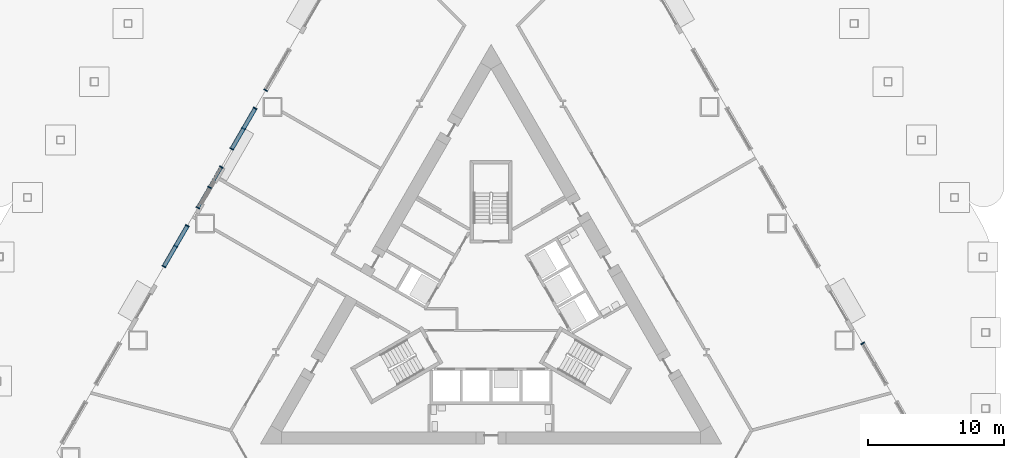
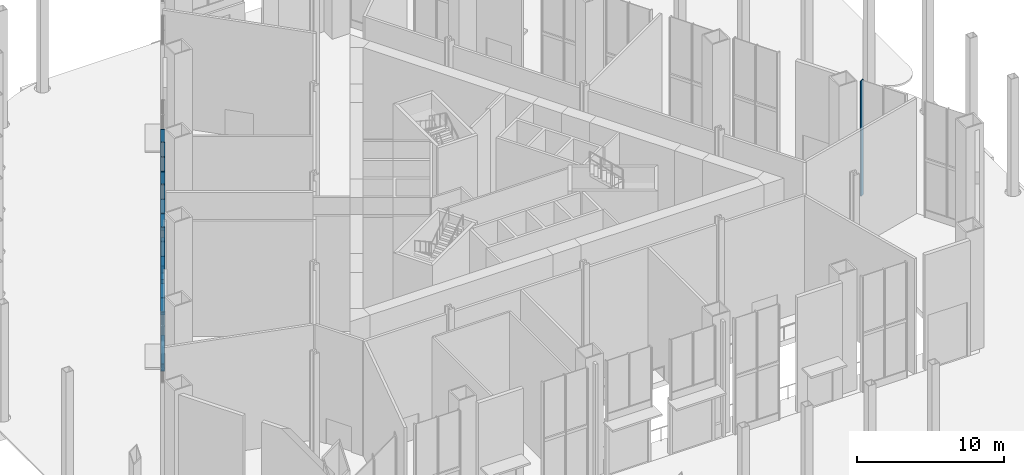
# One storey, part 3 of 18: 18 members, 5 elements without a shape of their own.
"""IFC4 building model written with IfcOpenShell, lengths in metres."""

import ifcopenshell
import ifcopenshell.guid

model = None  # the IFC model being written
_history = None  # IfcOwnerHistory: only IFC2X3 demands one
_inside = {}  # id of a spatial element -> (the spatial element, [elements in it])
_under = {}  # id of a project, library or spatial element -> (it, [spatial elements below it])
_declared = {}  # id of a project -> (the project, [libraries it declares])
_typed = {}  # id of a type object -> (the type object, [elements of that type])
_made_of = {}  # id of a material, layer set ... -> (it, [elements and type objects made of it])


def new_model(schema):
    """Start an empty IFC model of exactly this schema.

    Asked for "IFC4X3", IfcOpenShell would pick the latest addendum, in which some entities
    have other attributes; the version numbers below select the first issue.
    IFC2X3 requires an IfcOwnerHistory on every rooted entity: one is made here for all.
    """
    global model, _history
    if schema == "IFC4X3":
        model = ifcopenshell.file(schema_version=(4, 3, 0, 0))
    else:
        model = ifcopenshell.file(schema=schema)
    _inside.clear()
    _under.clear()
    _declared.clear()
    _typed.clear()
    _made_of.clear()
    _history = None
    if model.schema == "IFC2X3":
        org = make("IfcOrganization", Name="unknown")
        user = make(
            "IfcPersonAndOrganization",
            ThePerson=make("IfcPerson", FamilyName="unknown"),
            TheOrganization=org,
        )
        app = make(
            "IfcApplication",
            ApplicationDeveloper=org,
            Version="unknown",
            ApplicationFullName="unknown",
            ApplicationIdentifier="unknown",
        )
        _history = make(
            "IfcOwnerHistory",
            OwningUser=user,
            OwningApplication=app,
            ChangeAction="ADDED",
            CreationDate=0,
        )
    return model


def make(cls, **values):
    """One entity of the class cls with the attributes given. An attribute that is None is left unset."""
    return model.create_entity(
        cls, **{name: value for name, value in values.items() if value is not None}
    )


def rooted(cls, **values):
    """An entity with a GlobalId (a new one), such as an element, a storey or a relation."""
    return make(cls, GlobalId=ifcopenshell.guid.new(), OwnerHistory=_history, **values)


def si_unit(unit_type, name, prefix=None):
    """IfcSIUnit, for example si_unit("LENGTHUNIT", "METRE", prefix="MILLI")."""
    return make("IfcSIUnit", UnitType=unit_type, Prefix=prefix, Name=name)


def assignment(units):
    """IfcUnitAssignment: the units of a project."""
    return None if units is None else make("IfcUnitAssignment", Units=units)


def point(xyz):
    """IfcCartesianPoint."""
    return None if xyz is None else make("IfcCartesianPoint", Coordinates=xyz)


def direction(xyz):
    """IfcDirection."""
    return None if xyz is None else make("IfcDirection", DirectionRatios=xyz)


def frame(location, z_axis=None, x_axis=None):
    """IfcAxis2Placement3D, a coordinate frame: its origin and axes. An axis left out is left unset."""
    return make(
        "IfcAxis2Placement3D",
        Location=point(location),
        Axis=direction(z_axis),
        RefDirection=direction(x_axis),
    )


def frame_2d(location, x_axis=None):
    """IfcAxis2Placement2D, a coordinate frame in the plane: its origin and x axis."""
    return make(
        "IfcAxis2Placement2D", Location=point(location), RefDirection=direction(x_axis)
    )


def origin():
    """The frame at (0, 0, 0) with its axes left unset."""
    return frame((0.0, 0.0, 0.0))


def origin_2d():
    """The frame at (0, 0) in the plane with its x axis left unset."""
    return frame_2d((0.0, 0.0))


def place(relative_to, where):
    """IfcLocalPlacement: puts the frame where relative to a parent placement (None: the world)."""
    return make(
        "IfcLocalPlacement", PlacementRelTo=relative_to, RelativePlacement=where
    )


def context(
    kind, dimensions, precision=None, world=None, true_north=None, identifier=None
):
    """IfcGeometricRepresentationContext, for example the 3D "Model" context."""
    return make(
        "IfcGeometricRepresentationContext",
        ContextIdentifier=identifier,
        ContextType=kind,
        CoordinateSpaceDimension=dimensions,
        Precision=precision,
        WorldCoordinateSystem=world,
        TrueNorth=true_north,
    )


def subcontext(parent, identifier, kind, view, scale=None):
    """IfcGeometricRepresentationSubContext, for example "Body" below "Model"."""
    return make(
        "IfcGeometricRepresentationSubContext",
        ContextIdentifier=identifier,
        ContextType=kind,
        ParentContext=parent,
        TargetScale=scale,
        TargetView=view,
    )


def project(units=None, contexts=None):
    """IfcProject with its units and contexts."""
    return rooted(
        "IfcProject",
        Name="project",
        RepresentationContexts=contexts,
        UnitsInContext=assignment(units),
    )


def spatial(cls, under=None, at=None, **own):
    """A site, building, storey or space (cls), placed at a placement, below another one or the project."""
    s = rooted(cls, ObjectPlacement=at, **own)
    if under is not None:
        _under.setdefault(under.id(), (under, []))[1].append(s)
    return s


def profile(cls, at=None, kind="AREA", **sizes):
    """A parametric profile (cls). Its sizes go by their IFC names, for example OverallWidth=200.0."""
    return make(cls, ProfileType=kind, Position=at, **sizes)


def rectangle(**sizes):
    """IfcRectangleProfileDef."""
    return profile("IfcRectangleProfileDef", **sizes)


def extrude(swept, where, along, depth):
    """IfcExtrudedAreaSolid: the profile swept, set in the frame where, extruded along a direction by depth."""
    return make(
        "IfcExtrudedAreaSolid",
        SweptArea=swept,
        Position=where,
        ExtrudedDirection=direction(along),
        Depth=depth,
    )


def shape(context_of_items, identifier, shape_type, items):
    """IfcShapeRepresentation: the items that make up one representation, for example the "Body"."""
    return make(
        "IfcShapeRepresentation",
        ContextOfItems=context_of_items,
        RepresentationIdentifier=identifier,
        RepresentationType=shape_type,
        Items=items,
    )


def material(Name=None, Category=None):
    """IfcMaterial."""
    return make("IfcMaterial", Name=Name, Category=Category)


def layer(
    of_material, thickness, ventilated=None, Name=None, Category=None, Priority=None
):
    """IfcMaterialLayer: one layer of a wall or slab, of a material (None: an air gap)."""
    return make(
        "IfcMaterialLayer",
        Material=of_material,
        LayerThickness=thickness,
        IsVentilated=ventilated,
        Name=Name,
        Category=Category,
        Priority=Priority,
    )


def layer_set(layers, Name=None):
    """IfcMaterialLayerSet."""
    return make("IfcMaterialLayerSet", MaterialLayers=layers, LayerSetName=Name)


def material_profile(
    of_material, cross_section, Name=None, Category=None, Priority=None
):
    """IfcMaterialProfile: a cross section and its material."""
    return make(
        "IfcMaterialProfile",
        Name=Name,
        Material=of_material,
        Profile=cross_section,
        Priority=Priority,
        Category=Category,
    )


def profile_set(profiles, Name=None, composite=None):
    """IfcMaterialProfileSet."""
    return make(
        "IfcMaterialProfileSet",
        Name=Name,
        MaterialProfiles=profiles,
        CompositeProfile=composite,
    )


def made_of(thing, what):
    """Note that an element or type object is made of a material, layer set ...; save() writes the relation."""
    if what is not None:
        _made_of.setdefault(what.id(), (what, []))[1].append(thing)
    return thing


def type_object(cls, material=None, **own):
    """A type object (cls), such as IfcWallType, which elements share."""
    return made_of(rooted(cls, **own), material)


def element(
    cls,
    number,
    at=None,
    inside=None,
    cuts=None,
    type_object=None,
    material=None,
    context=None,
    identifier="Body",
    shape_type=None,
    held_by="IfcProductDefinitionShape",
    body=None,
    shapes=None,
    **own,
):
    """One element of the class cls, such as IfcWall. Its Tag is "e" and its number.

    at: its placement. inside: the storey or other place that contains it. cuts: it is an
    opening in that element (IfcRelVoidsElement). A single representation is given by context,
    identifier, shape_type and body (its items); several are given by shapes. held_by: the class
    of the entity that holds the representations. save() writes the other relations.
    """
    e = rooted(cls, Tag="e%d" % number, ObjectPlacement=at, **own)
    if body is not None:
        shapes = [shape(context, identifier, shape_type, body)]
    if shapes is not None:
        e.Representation = make(held_by, Representations=shapes)
    if inside is not None:
        _inside.setdefault(inside.id(), (inside, []))[1].append(e)
    if cuts is not None:
        rooted(
            "IfcRelVoidsElement", RelatingBuildingElement=cuts, RelatedOpeningElement=e
        )
    if type_object is not None:
        _typed.setdefault(type_object.id(), (type_object, []))[1].append(e)
    return made_of(e, material)


def aggregate(whole, parts):
    """IfcRelAggregates: a whole, such as a stair, and the parts it consists of."""
    return rooted("IfcRelAggregates", RelatingObject=whole, RelatedObjects=parts)


def save(model, path):
    """Write the relations noted so far, then the file.

    IfcRelAggregates (storeys below a building ...), IfcRelContainedInSpatialStructure (elements
    in a storey), IfcRelDefinesByType, IfcRelAssociatesMaterial and IfcRelDeclares: one each for
    every whole, place, type object, material and project.
    """
    for whole, parts in _under.values():
        aggregate(whole, parts)
    for where, things in _inside.values():
        rooted(
            "IfcRelContainedInSpatialStructure",
            RelatedElements=things,
            RelatingStructure=where,
        )
    for kind, things in _typed.values():
        rooted("IfcRelDefinesByType", RelatedObjects=things, RelatingType=kind)
    for what, things in _made_of.values():
        rooted("IfcRelAssociatesMaterial", RelatedObjects=things, RelatingMaterial=what)
    for by, libraries in _declared.values():
        rooted("IfcRelDeclares", RelatingContext=by, RelatedDefinitions=libraries)
    model.write(path)


model = new_model("IFC4")

# Units and contexts
model_context = context("Model", 3, precision=1e-05, world=origin(), true_north=direction((0.0, 1.0)))
body_context = subcontext(model_context, "Body", "Model", "MODEL_VIEW")
ifc_project = project(units=[si_unit("LENGTHUNIT", "METRE"), si_unit("AREAUNIT", "SQUARE_METRE"), si_unit("VOLUMEUNIT", "CUBIC_METRE"), si_unit("PLANEANGLEUNIT", "RADIAN"), si_unit("MASSUNIT", "GRAM", prefix="KILO")], contexts=[model_context])

# Site, building, storey
site_placement = place(None, origin())
site = spatial("IfcSite", under=ifc_project, at=site_placement, CompositionType="ELEMENT")
building_placement = place(site_placement, origin())
building = spatial("IfcBuilding", under=site, at=building_placement, Name="Cormorant Prow Tower", CompositionType="ELEMENT")
storey_placement = place(building_placement, origin())
storey = spatial("IfcBuildingStorey", under=building, at=storey_placement, Name="L00", CompositionType="ELEMENT", Elevation=0.0)

# Curtain wall, members
ifc_material_1 = material(Name="Aluminium 6063-T6", Category="aluminium")
ifc_layer = layer(ifc_material_1, 0.300048828125)
ifc_layer_set = layer_set([ifc_layer], Name="Aluminium 6063-T6")
curtain_wall_type = type_object("IfcCurtainWallType", Name="Concourse unitised curtain wall 300", PredefinedType="NOTDEFINED", material=ifc_layer_set)
curtain_wall_1_placement = place(storey_placement, origin())
curtain_wall_1 = element("IfcCurtainWall", 1, at=curtain_wall_1_placement, inside=storey, type_object=curtain_wall_type, Name="Concourse curtain wall WNW04", PredefinedType="NOTDEFINED")
ifc_material_2 = material(Name="Aluminium 6063-T6", Category="aluminium")
ifc_material_profile_1 = material_profile(ifc_material_2, rectangle(XDim=0.300048828125, YDim=0.239990234375, at=origin_2d()), Name="Concourse intermediate transom 300x240")
ifc_profile_set_1 = profile_set([ifc_material_profile_1], Name="Aluminium 6063-T6")
member_type_1 = type_object("IfcMemberType", Name="Concourse intermediate transom 300x240", PredefinedType="USERDEFINED", material=ifc_profile_set_1)
member_1_placement = place(storey_placement, frame((-17.405029296875, 14.886962890625, 4.77490234375), z_axis=(-0.499974350878, -0.866040211805, 0.0), x_axis=(0.866040211805, -0.499974350878, 0.0)))
member_1 = element("IfcMember", 2, at=member_1_placement, type_object=member_type_1, Name="Concourse intermediate transom WNW04", ObjectType="TRANSOM", PredefinedType="USERDEFINED", context=body_context, shape_type="SweptSolid", body=[
    extrude(rectangle(XDim=0.300048828125, YDim=0.239990234375, at=origin_2d()), origin(), (0.0, 0.0, 1.0), 1.64990234375),
])
member_2_placement = place(storey_placement, frame((-18.27001953125, 13.388671875, 4.77490234375), z_axis=(-0.499974350878, -0.866040211805, 0.0), x_axis=(0.866040211805, -0.499974350878, 0.0)))
member_2 = element("IfcMember", 3, at=member_2_placement, type_object=member_type_1, Name="Concourse intermediate transom WNW04", ObjectType="TRANSOM", PredefinedType="USERDEFINED", context=body_context, shape_type="SweptSolid", body=[
    extrude(rectangle(XDim=0.300048828125, YDim=0.239990234375, at=origin_2d()), origin(), (0.0, 0.0, 1.0), 1.64990234375),
])

curtain_wall_2_placement = place(storey_placement, origin())
curtain_wall_2 = element("IfcCurtainWall", 4, at=curtain_wall_2_placement, inside=storey, type_object=curtain_wall_type, Name="Concourse curtain wall WNW06", PredefinedType="NOTDEFINED")
member_3_placement = place(storey_placement, frame((-22.405029296875, 6.226806640625, 4.77490234375), z_axis=(-0.499974350878, -0.866040211805, 0.0), x_axis=(0.866040211805, -0.499974350878, 0.0)))
member_3 = element("IfcMember", 5, at=member_3_placement, type_object=member_type_1, Name="Concourse intermediate transom WNW06", ObjectType="TRANSOM", PredefinedType="USERDEFINED", context=body_context, shape_type="SweptSolid", body=[
    extrude(rectangle(XDim=0.300048828125, YDim=0.239990234375, at=origin_2d()), origin(), (0.0, 0.0, 1.0), 1.64990234375),
])
member_4_placement = place(storey_placement, frame((-23.27001953125, 4.728515625, 4.77490234375), z_axis=(-0.499974350878, -0.866040211805, 0.0), x_axis=(0.866040211805, -0.499974350878, 0.0)))
member_4 = element("IfcMember", 6, at=member_4_placement, type_object=member_type_1, Name="Concourse intermediate transom WNW06", ObjectType="TRANSOM", PredefinedType="USERDEFINED", context=body_context, shape_type="SweptSolid", body=[
    extrude(rectangle(XDim=0.300048828125, YDim=0.239990234375, at=origin_2d()), origin(), (0.0, 0.0, 1.0), 1.64990234375),
])

# Curtain wall, member
curtain_wall_3_placement = place(storey_placement, origin())
curtain_wall_3 = element("IfcCurtainWall", 7, at=curtain_wall_3_placement, inside=storey, type_object=curtain_wall_type, Name="Concourse curtain wall ENE01", PredefinedType="NOTDEFINED")
ifc_material_3 = material(Name="Aluminium 6063-T6", Category="aluminium")
ifc_material_profile_2 = material_profile(ifc_material_3, rectangle(XDim=0.300048828125, YDim=0.080078125, at=origin_2d()), Name="Concourse mullion 80x300")
ifc_profile_set_2 = profile_set([ifc_material_profile_2], Name="Aluminium 6063-T6")
member_type_2 = type_object("IfcMemberType", Name="Concourse mullion 80x300", PredefinedType="MULLION", material=ifc_profile_set_2)
member_5_placement = place(storey_placement, frame((27.385009765625, -2.39892578125, 0.0), z_axis=(0.0, 0.0, 1.0), x_axis=(-0.866025402842, -0.500000001632, 0.0)))
member_5 = element("IfcMember", 8, at=member_5_placement, type_object=member_type_2, Name="Concourse mullion ENE01", PredefinedType="MULLION", context=body_context, shape_type="SweptSolid", body=[
    extrude(rectangle(XDim=0.300048828125, YDim=0.080078125, at=origin_2d()), origin(), (0.0, 0.0, 1.0), 9.550048828125),
])
aggregate(curtain_wall_3, [member_5])

curtain_wall_4_placement = place(storey_placement, origin())
curtain_wall_4 = element("IfcCurtainWall", 9, at=curtain_wall_4_placement, inside=storey, type_object=curtain_wall_type, Name="Concourse curtain wall WNW03", PredefinedType="NOTDEFINED")
member_6_placement = place(storey_placement, frame((-16.614990234375, 16.25537109375, 0.0), z_axis=(0.0, 0.0, 1.0), x_axis=(0.866025402842, -0.500000001632, 0.0)))
member_6 = element("IfcMember", 10, at=member_6_placement, type_object=member_type_2, Name="Concourse mullion WNW03", PredefinedType="MULLION", context=body_context, shape_type="SweptSolid", body=[
    extrude(rectangle(XDim=0.300048828125, YDim=0.080078125, at=origin_2d()), origin(), (0.0, 0.0, 1.0), 9.550048828125),
])
aggregate(curtain_wall_4, [member_6])

# Member
member_7_placement = place(storey_placement, frame((-17.385009765625, 14.921630859375, 0.0), z_axis=(0.0, 0.0, 1.0), x_axis=(0.866025402842, -0.500000001632, 0.0)))
member_7 = element("IfcMember", 11, at=member_7_placement, type_object=member_type_2, Name="Concourse mullion WNW04", PredefinedType="MULLION", context=body_context, shape_type="SweptSolid", body=[
    extrude(rectangle(XDim=0.300048828125, YDim=0.080078125, at=origin_2d()), origin(), (0.0, 0.0, 1.0), 9.550048828125),
])

member_8_placement = place(storey_placement, frame((-18.25, 13.42333984375, 0.60009765625), z_axis=(0.0, 0.0, 1.0), x_axis=(0.866025402842, -0.500000001632, 0.0)))
member_8 = element("IfcMember", 12, at=member_8_placement, type_object=member_type_2, Name="Concourse mullion WNW04", PredefinedType="MULLION", context=body_context, shape_type="SweptSolid", body=[
    extrude(rectangle(XDim=0.300048828125, YDim=0.080078125, at=origin_2d()), origin(), (0.0, 0.0, 1.0), 8.949951171875),
])

member_9_placement = place(storey_placement, frame((-19.114990234375, 11.925048828125, 0.0), z_axis=(0.0, 0.0, 1.0), x_axis=(0.866025402842, -0.500000001632, 0.0)))
member_9 = element("IfcMember", 13, at=member_9_placement, type_object=member_type_2, Name="Concourse mullion WNW04", PredefinedType="MULLION", context=body_context, shape_type="SweptSolid", body=[
    extrude(rectangle(XDim=0.300048828125, YDim=0.080078125, at=origin_2d()), origin(), (0.0, 0.0, 1.0), 9.550048828125),
])

# Curtain wall, members
curtain_wall_5_placement = place(storey_placement, origin())
curtain_wall_5 = element("IfcCurtainWall", 14, at=curtain_wall_5_placement, inside=storey, type_object=curtain_wall_type, Name="Concourse curtain wall WNW05", PredefinedType="NOTDEFINED")
member_10_placement = place(storey_placement, frame((-19.885009765625, 10.591552734375, 4.60009765625), z_axis=(0.0, 0.0, 1.0), x_axis=(0.866025402842, -0.500000001632, 0.0)))
member_10 = element("IfcMember", 15, at=member_10_placement, type_object=member_type_2, Name="Concourse mullion WNW05", PredefinedType="MULLION", context=body_context, shape_type="SweptSolid", body=[
    extrude(rectangle(XDim=0.300048828125, YDim=0.080078125, at=origin_2d()), origin(), (0.0, 0.0, 1.0), 4.949951171875),
])
member_11_placement = place(storey_placement, frame((-20.75, 9.09326171875, 5.199951171875), z_axis=(0.0, 0.0, 1.0), x_axis=(0.866025402842, -0.500000001632, 0.0)))
member_11 = element("IfcMember", 16, at=member_11_placement, type_object=member_type_2, Name="Concourse mullion WNW05", PredefinedType="MULLION", context=body_context, shape_type="SweptSolid", body=[
    extrude(rectangle(XDim=0.300048828125, YDim=0.080078125, at=origin_2d()), origin(), (0.0, 0.0, 1.0), 4.35009765625),
])
member_12_placement = place(storey_placement, frame((-21.614990234375, 7.594970703125, 4.60009765625), z_axis=(0.0, 0.0, 1.0), x_axis=(0.866025402842, -0.500000001632, 0.0)))
member_12 = element("IfcMember", 17, at=member_12_placement, type_object=member_type_2, Name="Concourse mullion WNW05", PredefinedType="MULLION", context=body_context, shape_type="SweptSolid", body=[
    extrude(rectangle(XDim=0.300048828125, YDim=0.080078125, at=origin_2d()), origin(), (0.0, 0.0, 1.0), 4.949951171875),
])

# Member
member_13_placement = place(storey_placement, frame((-22.385009765625, 6.261474609375, 0.0), z_axis=(0.0, 0.0, 1.0), x_axis=(0.866025402842, -0.500000001632, 0.0)))
member_13 = element("IfcMember", 18, at=member_13_placement, type_object=member_type_2, Name="Concourse mullion WNW06", PredefinedType="MULLION", context=body_context, shape_type="SweptSolid", body=[
    extrude(rectangle(XDim=0.300048828125, YDim=0.080078125, at=origin_2d()), origin(), (0.0, 0.0, 1.0), 9.550048828125),
])

member_14_placement = place(storey_placement, frame((-23.25, 4.76318359375, 0.60009765625), z_axis=(0.0, 0.0, 1.0), x_axis=(0.866025402842, -0.500000001632, 0.0)))
member_14 = element("IfcMember", 19, at=member_14_placement, type_object=member_type_2, Name="Concourse mullion WNW06", PredefinedType="MULLION", context=body_context, shape_type="SweptSolid", body=[
    extrude(rectangle(XDim=0.300048828125, YDim=0.080078125, at=origin_2d()), origin(), (0.0, 0.0, 1.0), 8.949951171875),
])

member_15_placement = place(storey_placement, frame((-24.114990234375, 3.264892578125, 0.0), z_axis=(0.0, 0.0, 1.0), x_axis=(0.866025402842, -0.500000001632, 0.0)))
member_15 = element("IfcMember", 20, at=member_15_placement, type_object=member_type_2, Name="Concourse mullion WNW06", PredefinedType="MULLION", context=body_context, shape_type="SweptSolid", body=[
    extrude(rectangle(XDim=0.300048828125, YDim=0.080078125, at=origin_2d()), origin(), (0.0, 0.0, 1.0), 9.550048828125),
])

ifc_material_4 = material(Name="Terracotta", Category="masonry")
ifc_material_profile_3 = material_profile(ifc_material_4, rectangle(XDim=0.239990234375, YDim=0.60009765625, at=origin_2d()), Name="Concourse terracotta spandrel rail 240x600")
ifc_profile_set_3 = profile_set([ifc_material_profile_3], Name="Terracotta")
member_type_3 = type_object("IfcMemberType", Name="Concourse terracotta spandrel rail 240x600", PredefinedType="USERDEFINED", material=ifc_profile_set_3)
member_16_placement = place(storey_placement, frame((-17.405029296875, 14.886962890625, 0.300048828125), z_axis=(-0.499976720371, -0.866038843867, 0.0), x_axis=(0.866038843867, -0.499976720371, 0.0)))
member_16 = element("IfcMember", 21, at=member_16_placement, type_object=member_type_3, Name="Concourse spandrel rail WNW04", ObjectType="TRANSOM", PredefinedType="USERDEFINED", context=body_context, shape_type="SweptSolid", body=[
    extrude(rectangle(XDim=0.239990234375, YDim=0.60009765625, at=origin_2d()), origin(), (0.0, 0.0, 1.0), 3.380126953125),
])

aggregate(curtain_wall_1, [member_7, member_8, member_9, member_16, member_1, member_2])

member_17_placement = place(storey_placement, frame((-19.905029296875, 10.556884765625, 4.89990234375), z_axis=(-0.499976720371, -0.866038843867, 0.0), x_axis=(0.866038843867, -0.499976720371, 0.0)))
member_17 = element("IfcMember", 22, at=member_17_placement, type_object=member_type_3, Name="Concourse spandrel rail WNW05", ObjectType="TRANSOM", PredefinedType="USERDEFINED", context=body_context, shape_type="SweptSolid", body=[
    extrude(rectangle(XDim=0.239990234375, YDim=0.60009765625, at=origin_2d()), origin(), (0.0, 0.0, 1.0), 3.380126953125),
])

aggregate(curtain_wall_5, [member_10, member_11, member_12, member_17])

member_18_placement = place(storey_placement, frame((-22.405029296875, 6.226806640625, 0.300048828125), z_axis=(-0.499976720371, -0.866038843867, 0.0), x_axis=(0.866038843867, -0.499976720371, 0.0)))
member_18 = element("IfcMember", 23, at=member_18_placement, type_object=member_type_3, Name="Concourse spandrel rail WNW06", ObjectType="TRANSOM", PredefinedType="USERDEFINED", context=body_context, shape_type="SweptSolid", body=[
    extrude(rectangle(XDim=0.239990234375, YDim=0.60009765625, at=origin_2d()), origin(), (0.0, 0.0, 1.0), 3.380126953125),
])

aggregate(curtain_wall_2, [member_13, member_14, member_15, member_18, member_3, member_4])

save(model, "model.ifc")
